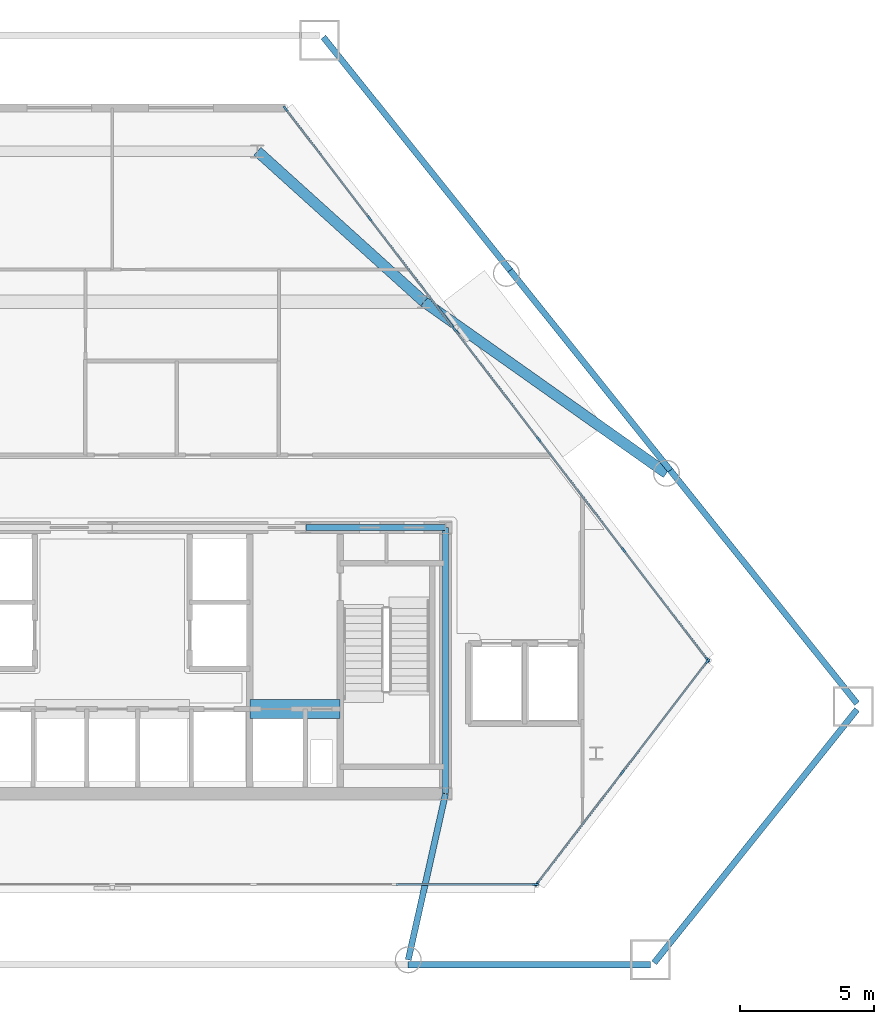
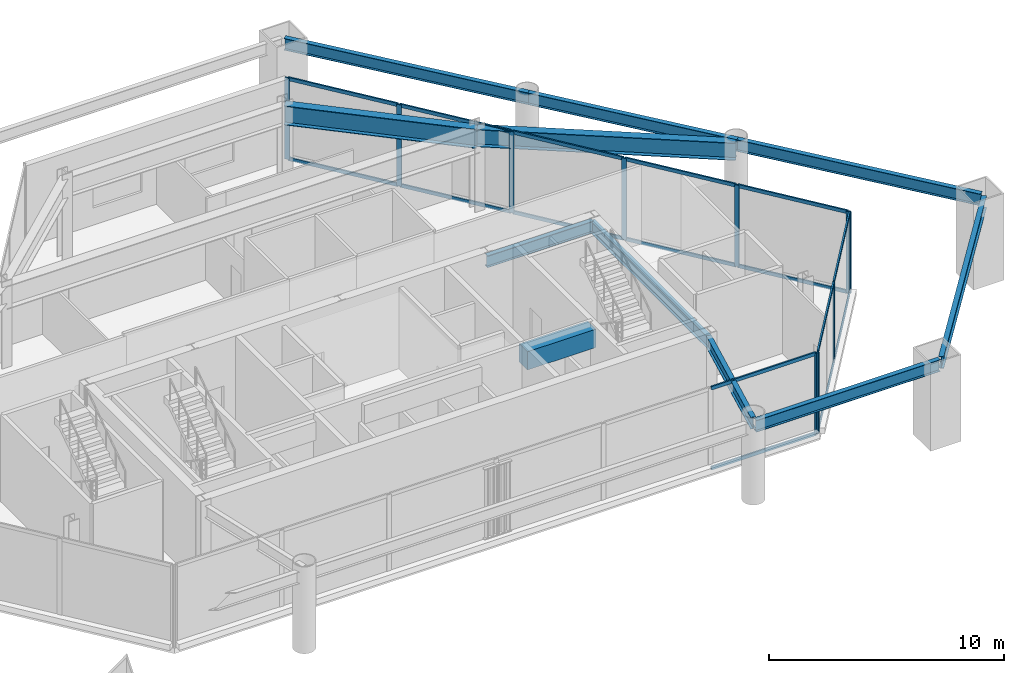
# One storey, part 5 of 11: 26 members, 11 beams, 3 elements without a shape of their own.
"""IFC4 building model written with IfcOpenShell, lengths in metres."""

from ifc_helpers import new_model, si_unit, direction, frame, origin, origin_2d, place, context, subcontext, project, spatial, rectangle, i_section, extrude, material, layer, layer_set, material_profile, profile_set, type_object, element, aggregate, save


model = new_model("IFC4")

# Units and contexts
model_context = context("Model", 3, precision=1e-05, world=origin(), true_north=direction((0.0, 1.0)))
body_context = subcontext(model_context, "Body", "Model", "MODEL_VIEW")
ifc_project = project(units=[si_unit("LENGTHUNIT", "METRE"), si_unit("AREAUNIT", "SQUARE_METRE"), si_unit("VOLUMEUNIT", "CUBIC_METRE"), si_unit("PLANEANGLEUNIT", "RADIAN"), si_unit("MASSUNIT", "GRAM", prefix="KILO")], contexts=[model_context])

# Site, building, storey
site_placement = place(None, origin())
site = spatial("IfcSite", under=ifc_project, at=site_placement, CompositionType="ELEMENT")
building_placement = place(site_placement, origin())
building = spatial("IfcBuilding", under=site, at=building_placement, Name="Talgorran Terracotta Tower", CompositionType="ELEMENT")
storey_placement = place(building_placement, frame((0.0, 0.0, 5.39990234375)))
storey = spatial("IfcBuildingStorey", under=building, at=storey_placement, Name="L01", CompositionType="ELEMENT", Elevation=5.39990234375)

# Beams
ifc_material_1 = material(Name="Steel Grade 350 (350L0)", Category="steel")
ifc_material_profile_1 = material_profile(ifc_material_1, i_section(OverallWidth=0.39990234375, OverallDepth=1.0, WebThickness=0.01611328125, FlangeThickness=0.031005859375, at=origin_2d()), Name="1000WB296")
ifc_profile_set_1 = profile_set([ifc_material_profile_1], Name="Steel Grade 350 (350L0)")
beam_type_1 = type_object("IfcBeamType", Name="BM_1000WB296", PredefinedType="BEAM", material=ifc_profile_set_1)
beam_1_placement = place(storey_placement, frame((11.60009765625, 4.199951171875, 3.72021484375), z_axis=(-0.742107331558, 0.670281066754, 0.0), x_axis=(-0.670281066754, -0.742107331558, 0.0)))
element("IfcBeam", 1, at=beam_1_placement, inside=storey, type_object=beam_type_1, Name="L01 Podium Girder PG3", PredefinedType="BEAM", context=body_context, shape_type="SweptSolid", body=[
    extrude(i_section(OverallWidth=0.39990234375, OverallDepth=1.0, WebThickness=0.01611328125, FlangeThickness=0.031005859375, at=origin_2d()), origin(), (0.0, 0.0, 1.0), 8.354736328125),
])
ifc_material_profile_2 = material_profile(ifc_material_1, i_section(OverallWidth=0.39990234375, OverallDepth=0.907958984375, WebThickness=0.01611328125, FlangeThickness=0.02490234375, at=origin_2d()), Name="900WB257")
ifc_profile_set_2 = profile_set([ifc_material_profile_2], Name="Steel Grade 350 (350L0)")
beam_type_2 = type_object("IfcBeamType", Name="BM_900WB257", PredefinedType="BEAM", material=ifc_profile_set_2)
beam_2_placement = place(storey_placement, frame((20.620361328125, -2.1787109375, 3.76611328125), z_axis=(-0.816480686171, 0.577372747113, 0.0), x_axis=(-0.577372747113, -0.816480686171, 0.0)))
element("IfcBeam", 2, at=beam_2_placement, inside=storey, type_object=beam_type_2, Name="L01 Podium Girder PG8", PredefinedType="BEAM", context=body_context, shape_type="SweptSolid", body=[
    extrude(i_section(OverallWidth=0.39990234375, OverallDepth=0.907958984375, WebThickness=0.01611328125, FlangeThickness=0.02490234375, at=origin_2d()), origin(), (0.0, 0.0, 1.0), 11.0478515625),
])
ifc_material_2 = material(Name="Concrete C65/80", Category="concrete")
ifc_material_profile_3 = material_profile(ifc_material_2, rectangle(XDim=0.699951171875, YDim=0.949951171875, at=origin_2d()), Name="RCCB700X950")
ifc_profile_set_3 = profile_set([ifc_material_profile_3], Name="Concrete C65/80")
beam_type_3 = type_object("IfcBeamType", Name="BM_CB_700X950", PredefinedType="LINTEL", material=ifc_profile_set_3)
beam_3_placement = place(storey_placement, frame((5.1201171875, -10.949951171875, 3.7451171875), z_axis=(1.0, 0.0, 0.0), x_axis=(0.0, 1.0, 0.0)))
element("IfcBeam", 3, at=beam_3_placement, inside=storey, type_object=beam_type_3, Name="L01 Core Shear-Wall Coupling Beam CB3", PredefinedType="LINTEL", context=body_context, shape_type="SweptSolid", body=[
    extrude(rectangle(XDim=0.699951171875, YDim=0.949951171875, at=origin_2d()), origin(), (0.0, 0.0, 1.0), 3.35986328125),
])
ifc_material_3 = material(Name="Steel S355 (300PLUS)", Category="steel")
ifc_material_profile_4 = material_profile(ifc_material_3, i_section(OverallWidth=0.22900390625, OverallDepth=0.611572265625, WebThickness=0.011962890625, FlangeThickness=0.01953125, at=origin_2d()), Name="610UB125")
ifc_profile_set_4 = profile_set([ifc_material_profile_4], Name="Steel S355 (300PLUS)")
beam_type_4 = type_object("IfcBeamType", Name="BM_SP_610UB125", PredefinedType="SPANDREL", material=ifc_profile_set_4)
beam_4_placement = place(storey_placement, frame((11.01220703125, -20.4599609375, 3.914306640625), z_axis=(1.0, 0.0, 0.0), x_axis=(0.0, 1.0, 0.0)))
element("IfcBeam", 4, at=beam_4_placement, inside=storey, type_object=beam_type_4, Name="L01 Perimeter Spandrel Beam FC2-MC3", PredefinedType="SPANDREL", context=body_context, shape_type="SweptSolid", body=[
    extrude(i_section(OverallWidth=0.22900390625, OverallDepth=0.611572265625, WebThickness=0.011962890625, FlangeThickness=0.01953125, at=origin_2d()), origin(), (0.0, 0.0, 1.0), 9.010009765625),
])
beam_5_placement = place(storey_placement, frame((20.16259765625, -20.392578125, 3.914306640625), z_axis=(0.625116627788, 0.780531358539, 0.0), x_axis=(-0.780531358539, 0.625116627788, 0.0)))
element("IfcBeam", 5, at=beam_5_placement, inside=storey, type_object=beam_type_4, Name="L01 Perimeter Spandrel Beam MC3-MC4", PredefinedType="SPANDREL", context=body_context, shape_type="SweptSolid", body=[
    extrude(i_section(OverallWidth=0.22900390625, OverallDepth=0.611572265625, WebThickness=0.011962890625, FlangeThickness=0.01953125, at=origin_2d()), origin(), (0.0, 0.0, 1.0), 12.073974609375),
])
beam_6_placement = place(storey_placement, frame((27.710205078125, -10.743408203125, 3.914306640625), z_axis=(-0.625126142132, 0.780523738539, 0.0), x_axis=(-0.780523738539, -0.625126142132, 0.0)))
element("IfcBeam", 6, at=beam_6_placement, inside=storey, type_object=beam_type_4, Name="L01 Perimeter Spandrel Beam MC4-FC3", PredefinedType="SPANDREL", context=body_context, shape_type="SweptSolid", body=[
    extrude(i_section(OverallWidth=0.22900390625, OverallDepth=0.611572265625, WebThickness=0.011962890625, FlangeThickness=0.01953125, at=origin_2d()), origin(), (0.0, 0.0, 1.0), 11.116943359375),
])
beam_7_placement = place(storey_placement, frame((20.7607421875, -2.06640625, 3.914306640625), z_axis=(-0.625101149619, 0.780543754536, 0.0), x_axis=(-0.780543754536, -0.625101149619, 0.0)))
element("IfcBeam", 7, at=beam_7_placement, inside=storey, type_object=beam_type_4, Name="L01 Perimeter Spandrel Beam FC3-FC4", PredefinedType="SPANDREL", context=body_context, shape_type="SweptSolid", body=[
    extrude(i_section(OverallWidth=0.22900390625, OverallDepth=0.611572265625, WebThickness=0.011962890625, FlangeThickness=0.01953125, at=origin_2d()), origin(), (0.0, 0.0, 1.0), 9.52880859375),
])
beam_8_placement = place(storey_placement, frame((14.80419921875, 5.371337890625, 3.914306640625), z_axis=(-0.625115426811, 0.780532320383, 0.0), x_axis=(-0.780532320383, -0.625115426811, 0.0)))
element("IfcBeam", 8, at=beam_8_placement, inside=storey, type_object=beam_type_4, Name="L01 Perimeter Spandrel Beam FC4-MC5", PredefinedType="SPANDREL", context=body_context, shape_type="SweptSolid", body=[
    extrude(i_section(OverallWidth=0.22900390625, OverallDepth=0.611572265625, WebThickness=0.011962890625, FlangeThickness=0.01953125, at=origin_2d()), origin(), (0.0, 0.0, 1.0), 11.1171875),
])
beam_9_placement = place(storey_placement, frame((12.39990234375, -14.10009765625, 3.914306640625), z_axis=(-0.219093011867, -0.975703977726, 0.0), x_axis=(0.975703977726, -0.219093011867, 0.0)))
element("IfcBeam", 9, at=beam_9_placement, inside=storey, type_object=beam_type_4, Name="L01 South-East Core Tie Beam", PredefinedType="SPANDREL", context=body_context, shape_type="SweptSolid", body=[
    extrude(i_section(OverallWidth=0.22900390625, OverallDepth=0.611572265625, WebThickness=0.011962890625, FlangeThickness=0.01953125, at=origin_2d()), origin(), (0.0, 0.0, 1.0), 6.333740234375),
])
beam_10_placement = place(storey_placement, frame((12.39990234375, -14.10009765625, 3.914306640625), z_axis=(0.0, 1.0, 0.0), x_axis=(-1.0, 0.0, 0.0)))
element("IfcBeam", 10, at=beam_10_placement, inside=storey, type_object=beam_type_4, Name="L01 Core Frame Beam CFE", PredefinedType="SPANDREL", context=body_context, shape_type="SweptSolid", body=[
    extrude(i_section(OverallWidth=0.22900390625, OverallDepth=0.611572265625, WebThickness=0.011962890625, FlangeThickness=0.01953125, at=origin_2d()), origin(), (0.0, 0.0, 1.0), 9.900146484375),
])
beam_11_placement = place(storey_placement, frame((7.199951171875, -4.199951171875, 3.914306640625), z_axis=(1.0, 0.0, 0.0), x_axis=(0.0, 1.0, 0.0)))
element("IfcBeam", 11, at=beam_11_placement, inside=storey, type_object=beam_type_4, Name="L01 Core Frame Beam CFN4", PredefinedType="SPANDREL", context=body_context, shape_type="SweptSolid", body=[
    extrude(i_section(OverallWidth=0.22900390625, OverallDepth=0.611572265625, WebThickness=0.011962890625, FlangeThickness=0.01953125, at=origin_2d()), origin(), (0.0, 0.0, 1.0), 5.199951171875),
])

# Curtain wall, member
ifc_material_4 = material(Name="Terracotta and Low-E Glazing", Category="masonry")
ifc_layer = layer(ifc_material_4, 0.219970703125, Name="CW_SYS1_PODIUM")
ifc_layer_set = layer_set([ifc_layer], Name="Terracotta and Low-E Glazing")
curtain_wall_type = type_object("IfcCurtainWallType", Name="CW_SYS1_PODIUM", PredefinedType="NOTDEFINED", material=ifc_layer_set)
curtain_wall_1_placement = place(storey_placement, origin())
curtain_wall_1 = element("IfcCurtainWall", 12, at=curtain_wall_1_placement, inside=storey, type_object=curtain_wall_type, Name="CW-L01-F1", PredefinedType="NOTDEFINED")
ifc_material_5 = material(Name="Architectural Aluminium 6063-T6", Category="aluminium")
ifc_material_profile_5 = material_profile(ifc_material_5, rectangle(XDim=0.074951171875, YDim=0.219970703125, at=origin_2d()), Name="CWM75X220")
ifc_profile_set_5 = profile_set([ifc_material_profile_5], Name="Architectural Aluminium 6063-T6")
member_type_1 = type_object("IfcMemberType", Name="MUL_75X220", PredefinedType="MULLION", material=ifc_profile_set_5)
member_1_placement = place(storey_placement, frame((15.743408203125, -17.47998046875, 0.0), z_axis=(0.0, 0.0, 1.0), x_axis=(0.0, 1.0, 0.0)))
member_1 = element("IfcMember", 13, at=member_1_placement, type_object=member_type_1, Name="CW-L01-1 mullion 7", PredefinedType="MULLION", context=body_context, shape_type="SweptSolid", body=[
    extrude(rectangle(XDim=0.074951171875, YDim=0.219970703125, at=origin_2d()), origin(), (0.0, 0.0, 1.0), 4.22021484375),
])

# Curtain wall, members
curtain_wall_2_placement = place(storey_placement, origin())
curtain_wall_2 = element("IfcCurtainWall", 14, at=curtain_wall_2_placement, inside=storey, type_object=curtain_wall_type, Name="CW-L01-F2", PredefinedType="NOTDEFINED")
member_2_placement = place(storey_placement, frame((15.8037109375, -17.4501953125, 0.0), z_axis=(0.0, 0.0, 1.0), x_axis=(-0.793882056778, 0.608071772019, 0.0)))
member_2 = element("IfcMember", 15, at=member_2_placement, type_object=member_type_1, Name="CW-L01-2 mullion 1", PredefinedType="MULLION", context=body_context, shape_type="SweptSolid", body=[
    extrude(rectangle(XDim=0.074951171875, YDim=0.219970703125, at=origin_2d()), origin(), (0.0, 0.0, 1.0), 4.22021484375),
])
member_3_placement = place(storey_placement, frame((18.974853515625, -13.31005859375, 0.0), z_axis=(0.0, 0.0, 1.0), x_axis=(-0.793882056778, 0.608071772019, 0.0)))
member_3 = element("IfcMember", 16, at=member_3_placement, type_object=member_type_1, Name="CW-L01-2 mullion 2", PredefinedType="MULLION", context=body_context, shape_type="SweptSolid", body=[
    extrude(rectangle(XDim=0.074951171875, YDim=0.219970703125, at=origin_2d()), origin(), (0.0, 0.0, 1.0), 4.22021484375),
])
member_4_placement = place(storey_placement, frame((22.14599609375, -9.169677734375, 0.0), z_axis=(0.0, 0.0, 1.0), x_axis=(-0.793882056778, 0.608071772019, 0.0)))
member_4 = element("IfcMember", 17, at=member_4_placement, type_object=member_type_1, Name="CW-L01-2 mullion 3", PredefinedType="MULLION", context=body_context, shape_type="SweptSolid", body=[
    extrude(rectangle(XDim=0.074951171875, YDim=0.219970703125, at=origin_2d()), origin(), (0.0, 0.0, 1.0), 4.22021484375),
])

curtain_wall_3_placement = place(storey_placement, origin())
curtain_wall_3 = element("IfcCurtainWall", 18, at=curtain_wall_3_placement, inside=storey, type_object=curtain_wall_type, Name="CW-L01-F3", PredefinedType="NOTDEFINED")
member_5_placement = place(storey_placement, frame((22.14599609375, -9.1103515625, 0.0), z_axis=(0.0, 0.0, 1.0), x_axis=(-0.793879732377, -0.608074806682, 0.0)))
member_5 = element("IfcMember", 19, at=member_5_placement, type_object=member_type_1, Name="CW-L01-3 mullion 1", PredefinedType="MULLION", context=body_context, shape_type="SweptSolid", body=[
    extrude(rectangle(XDim=0.074951171875, YDim=0.219970703125, at=origin_2d()), origin(), (0.0, 0.0, 1.0), 4.22021484375),
])
member_6_placement = place(storey_placement, frame((19.019287109375, -5.028076171875, 0.0), z_axis=(0.0, 0.0, 1.0), x_axis=(-0.793879732377, -0.608074806682, 0.0)))
member_6 = element("IfcMember", 20, at=member_6_placement, type_object=member_type_1, Name="CW-L01-3 mullion 2", PredefinedType="MULLION", context=body_context, shape_type="SweptSolid", body=[
    extrude(rectangle(XDim=0.074951171875, YDim=0.219970703125, at=origin_2d()), origin(), (0.0, 0.0, 1.0), 4.22021484375),
])
member_7_placement = place(storey_placement, frame((15.86962890625, -0.916015625, 0.0), z_axis=(0.0, 0.0, 1.0), x_axis=(-0.793879732377, -0.608074806682, 0.0)))
member_7 = element("IfcMember", 21, at=member_7_placement, type_object=member_type_1, Name="CW-L01-3 mullion 3", PredefinedType="MULLION", context=body_context, shape_type="SweptSolid", body=[
    extrude(rectangle(XDim=0.074951171875, YDim=0.219970703125, at=origin_2d()), origin(), (0.0, 0.0, 1.0), 4.22021484375),
])
member_8_placement = place(storey_placement, frame((12.719970703125, 3.196044921875, 0.0), z_axis=(0.0, 0.0, 1.0), x_axis=(-0.793879732377, -0.608074806682, 0.0)))
member_8 = element("IfcMember", 22, at=member_8_placement, type_object=member_type_1, Name="CW-L01-3 mullion 4", PredefinedType="MULLION", context=body_context, shape_type="SweptSolid", body=[
    extrude(rectangle(XDim=0.074951171875, YDim=0.219970703125, at=origin_2d()), origin(), (0.0, 0.0, 1.0), 4.22021484375),
])
member_9_placement = place(storey_placement, frame((9.5703125, 7.30810546875, 0.0), z_axis=(0.0, 0.0, 1.0), x_axis=(-0.793879732377, -0.608074806682, 0.0)))
member_9 = element("IfcMember", 23, at=member_9_placement, type_object=member_type_1, Name="CW-L01-3 mullion 5", PredefinedType="MULLION", context=body_context, shape_type="SweptSolid", body=[
    extrude(rectangle(XDim=0.074951171875, YDim=0.219970703125, at=origin_2d()), origin(), (0.0, 0.0, 1.0), 4.22021484375),
])
member_10_placement = place(storey_placement, frame((6.443603515625, 11.39013671875, 0.0), z_axis=(0.0, 0.0, 1.0), x_axis=(-0.793879732377, -0.608074806682, 0.0)))
member_10 = element("IfcMember", 24, at=member_10_placement, type_object=member_type_1, Name="CW-L01-3 mullion 6", PredefinedType="MULLION", context=body_context, shape_type="SweptSolid", body=[
    extrude(rectangle(XDim=0.074951171875, YDim=0.219970703125, at=origin_2d()), origin(), (0.0, 0.0, 1.0), 4.22021484375),
])

# Member
ifc_material_profile_6 = material_profile(ifc_material_5, rectangle(XDim=0.074951171875, YDim=0.179931640625, at=origin_2d()), Name="CWT75X180")
ifc_profile_set_6 = profile_set([ifc_material_profile_6], Name="Architectural Aluminium 6063-T6")
member_type_2 = type_object("IfcMemberType", Name="TRN_75X180", PredefinedType="USERDEFINED", material=ifc_profile_set_6)
member_11_placement = place(storey_placement, frame((10.55810546875, -17.47998046875, 0.03759765625), z_axis=(1.0, 0.0, 0.0), x_axis=(0.0, 1.0, 0.0)))
member_11 = element("IfcMember", 25, at=member_11_placement, type_object=member_type_2, Name="CW-L01-1 transom 6.1", ObjectType="TRANSOM", PredefinedType="USERDEFINED", context=body_context, shape_type="SweptSolid", body=[
    extrude(rectangle(XDim=0.074951171875, YDim=0.179931640625, at=origin_2d()), origin(), (0.0, 0.0, 1.0), 5.147705078125),
])

member_12_placement = place(storey_placement, frame((10.55810546875, -17.47998046875, 4.1826171875), z_axis=(1.0, 0.0, 0.0), x_axis=(0.0, 1.0, 0.0)))
member_12 = element("IfcMember", 26, at=member_12_placement, type_object=member_type_2, Name="CW-L01-1 transom 6.2", ObjectType="TRANSOM", PredefinedType="USERDEFINED", context=body_context, shape_type="SweptSolid", body=[
    extrude(rectangle(XDim=0.074951171875, YDim=0.179931640625, at=origin_2d()), origin(), (0.0, 0.0, 1.0), 5.147705078125),
])

aggregate(curtain_wall_1, [member_1, member_11, member_12])

member_13_placement = place(storey_placement, frame((15.826416015625, -17.42041015625, 0.03759765625), z_axis=(0.608070508553, 0.793883024524, 0.0), x_axis=(-0.793883024524, 0.608070508553, 0.0)))
member_13 = element("IfcMember", 27, at=member_13_placement, type_object=member_type_2, Name="CW-L01-2 transom 1.1", ObjectType="TRANSOM", PredefinedType="USERDEFINED", context=body_context, shape_type="SweptSolid", body=[
    extrude(rectangle(XDim=0.074951171875, YDim=0.179931640625, at=origin_2d()), origin(), (0.0, 0.0, 1.0), 5.139892578125),
])

member_14_placement = place(storey_placement, frame((15.826416015625, -17.42041015625, 4.1826171875), z_axis=(0.608070508553, 0.793883024524, 0.0), x_axis=(-0.793883024524, 0.608070508553, 0.0)))
member_14 = element("IfcMember", 28, at=member_14_placement, type_object=member_type_2, Name="CW-L01-2 transom 1.2", ObjectType="TRANSOM", PredefinedType="USERDEFINED", context=body_context, shape_type="SweptSolid", body=[
    extrude(rectangle(XDim=0.074951171875, YDim=0.179931640625, at=origin_2d()), origin(), (0.0, 0.0, 1.0), 5.139892578125),
])

member_15_placement = place(storey_placement, frame((18.99755859375, -13.2802734375, 0.03759765625), z_axis=(0.608077514667, 0.793877658179, 0.0), x_axis=(-0.793877658179, 0.608077514667, 0.0)))
member_15 = element("IfcMember", 29, at=member_15_placement, type_object=member_type_2, Name="CW-L01-2 transom 2.1", ObjectType="TRANSOM", PredefinedType="USERDEFINED", context=body_context, shape_type="SweptSolid", body=[
    extrude(rectangle(XDim=0.074951171875, YDim=0.179931640625, at=origin_2d()), origin(), (0.0, 0.0, 1.0), 5.140380859375),
])

member_16_placement = place(storey_placement, frame((18.99755859375, -13.2802734375, 4.1826171875), z_axis=(0.608077514667, 0.793877658179, 0.0), x_axis=(-0.793877658179, 0.608077514667, 0.0)))
member_16 = element("IfcMember", 30, at=member_16_placement, type_object=member_type_2, Name="CW-L01-2 transom 2.2", ObjectType="TRANSOM", PredefinedType="USERDEFINED", context=body_context, shape_type="SweptSolid", body=[
    extrude(rectangle(XDim=0.074951171875, YDim=0.179931640625, at=origin_2d()), origin(), (0.0, 0.0, 1.0), 5.140380859375),
])

aggregate(curtain_wall_2, [member_2, member_3, member_4, member_13, member_14, member_15, member_16])

member_17_placement = place(storey_placement, frame((22.123291015625, -9.08056640625, 0.03759765625), z_axis=(-0.608086568836, 0.793870722978, 0.0), x_axis=(-0.793870722978, -0.608086568836, 0.0)))
member_17 = element("IfcMember", 31, at=member_17_placement, type_object=member_type_2, Name="CW-L01-3 transom 1.1", ObjectType="TRANSOM", PredefinedType="USERDEFINED", context=body_context, shape_type="SweptSolid", body=[
    extrude(rectangle(XDim=0.074951171875, YDim=0.179931640625, at=origin_2d()), origin(), (0.0, 0.0, 1.0), 5.067138671875),
])

member_18_placement = place(storey_placement, frame((22.123291015625, -9.08056640625, 4.1826171875), z_axis=(-0.608086568836, 0.793870722978, 0.0), x_axis=(-0.793870722978, -0.608086568836, 0.0)))
member_18 = element("IfcMember", 32, at=member_18_placement, type_object=member_type_2, Name="CW-L01-3 transom 1.2", ObjectType="TRANSOM", PredefinedType="USERDEFINED", context=body_context, shape_type="SweptSolid", body=[
    extrude(rectangle(XDim=0.074951171875, YDim=0.179931640625, at=origin_2d()), origin(), (0.0, 0.0, 1.0), 5.067138671875),
])

member_19_placement = place(storey_placement, frame((18.996337890625, -4.998291015625, 0.03759765625), z_axis=(-0.608073029785, 0.793881093394, 0.0), x_axis=(-0.793881093394, -0.608073029785, 0.0)))
member_19 = element("IfcMember", 33, at=member_19_placement, type_object=member_type_2, Name="CW-L01-3 transom 2.1", ObjectType="TRANSOM", PredefinedType="USERDEFINED", context=body_context, shape_type="SweptSolid", body=[
    extrude(rectangle(XDim=0.074951171875, YDim=0.179931640625, at=origin_2d()), origin(), (0.0, 0.0, 1.0), 5.104736328125),
])

member_20_placement = place(storey_placement, frame((18.996337890625, -4.998291015625, 4.1826171875), z_axis=(-0.608073029785, 0.793881093394, 0.0), x_axis=(-0.793881093394, -0.608073029785, 0.0)))
member_20 = element("IfcMember", 34, at=member_20_placement, type_object=member_type_2, Name="CW-L01-3 transom 2.2", ObjectType="TRANSOM", PredefinedType="USERDEFINED", context=body_context, shape_type="SweptSolid", body=[
    extrude(rectangle(XDim=0.074951171875, YDim=0.179931640625, at=origin_2d()), origin(), (0.0, 0.0, 1.0), 5.104736328125),
])

member_21_placement = place(storey_placement, frame((15.8466796875, -0.88623046875, 0.03759765625), z_axis=(-0.608042885611, 0.793904181409, 0.0), x_axis=(-0.793904181409, -0.608042885611, 0.0)))
member_21 = element("IfcMember", 35, at=member_21_placement, type_object=member_type_2, Name="CW-L01-3 transom 3.1", ObjectType="TRANSOM", PredefinedType="USERDEFINED", context=body_context, shape_type="SweptSolid", body=[
    extrude(rectangle(XDim=0.074951171875, YDim=0.179931640625, at=origin_2d()), origin(), (0.0, 0.0, 1.0), 5.1044921875),
])

member_22_placement = place(storey_placement, frame((15.8466796875, -0.88623046875, 4.1826171875), z_axis=(-0.608042885611, 0.793904181409, 0.0), x_axis=(-0.793904181409, -0.608042885611, 0.0)))
member_22 = element("IfcMember", 36, at=member_22_placement, type_object=member_type_2, Name="CW-L01-3 transom 3.2", ObjectType="TRANSOM", PredefinedType="USERDEFINED", context=body_context, shape_type="SweptSolid", body=[
    extrude(rectangle(XDim=0.074951171875, YDim=0.179931640625, at=origin_2d()), origin(), (0.0, 0.0, 1.0), 5.1044921875),
])

member_23_placement = place(storey_placement, frame((12.697265625, 3.225830078125, 0.03759765625), z_axis=(-0.608073029785, 0.793881093394, 0.0), x_axis=(-0.793881093394, -0.608073029785, 0.0)))
member_23 = element("IfcMember", 37, at=member_23_placement, type_object=member_type_2, Name="CW-L01-3 transom 4.1", ObjectType="TRANSOM", PredefinedType="USERDEFINED", context=body_context, shape_type="SweptSolid", body=[
    extrude(rectangle(XDim=0.074951171875, YDim=0.179931640625, at=origin_2d()), origin(), (0.0, 0.0, 1.0), 5.104736328125),
])

member_24_placement = place(storey_placement, frame((12.697265625, 3.225830078125, 4.1826171875), z_axis=(-0.608073029785, 0.793881093394, 0.0), x_axis=(-0.793881093394, -0.608073029785, 0.0)))
member_24 = element("IfcMember", 38, at=member_24_placement, type_object=member_type_2, Name="CW-L01-3 transom 4.2", ObjectType="TRANSOM", PredefinedType="USERDEFINED", context=body_context, shape_type="SweptSolid", body=[
    extrude(rectangle(XDim=0.074951171875, YDim=0.179931640625, at=origin_2d()), origin(), (0.0, 0.0, 1.0), 5.104736328125),
])

member_25_placement = place(storey_placement, frame((9.547607421875, 7.337890625, 0.03759765625), z_axis=(-0.60810982824, 0.793852906273, 0.0), x_axis=(-0.793852906273, -0.60810982824, 0.0)))
member_25 = element("IfcMember", 39, at=member_25_placement, type_object=member_type_2, Name="CW-L01-3 transom 5.1", ObjectType="TRANSOM", PredefinedType="USERDEFINED", context=body_context, shape_type="SweptSolid", body=[
    extrude(rectangle(XDim=0.074951171875, YDim=0.179931640625, at=origin_2d()), origin(), (0.0, 0.0, 1.0), 5.06689453125),
])

member_26_placement = place(storey_placement, frame((9.547607421875, 7.337890625, 4.1826171875), z_axis=(-0.60810982824, 0.793852906273, 0.0), x_axis=(-0.793852906273, -0.60810982824, 0.0)))
member_26 = element("IfcMember", 40, at=member_26_placement, type_object=member_type_2, Name="CW-L01-3 transom 5.2", ObjectType="TRANSOM", PredefinedType="USERDEFINED", context=body_context, shape_type="SweptSolid", body=[
    extrude(rectangle(XDim=0.074951171875, YDim=0.179931640625, at=origin_2d()), origin(), (0.0, 0.0, 1.0), 5.06689453125),
])

aggregate(curtain_wall_3, [member_5, member_6, member_7, member_8, member_9, member_10, member_17, member_18, member_19, member_20, member_21, member_22, member_23, member_24, member_25, member_26])

save(model, "model.ifc")
